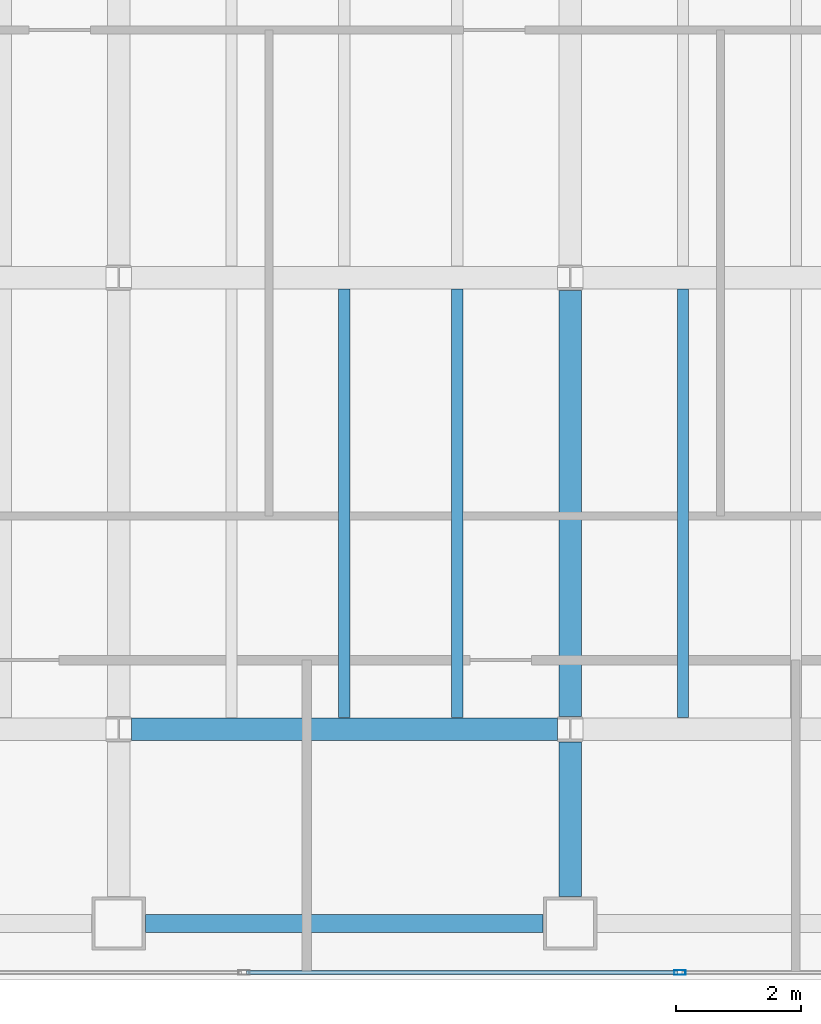
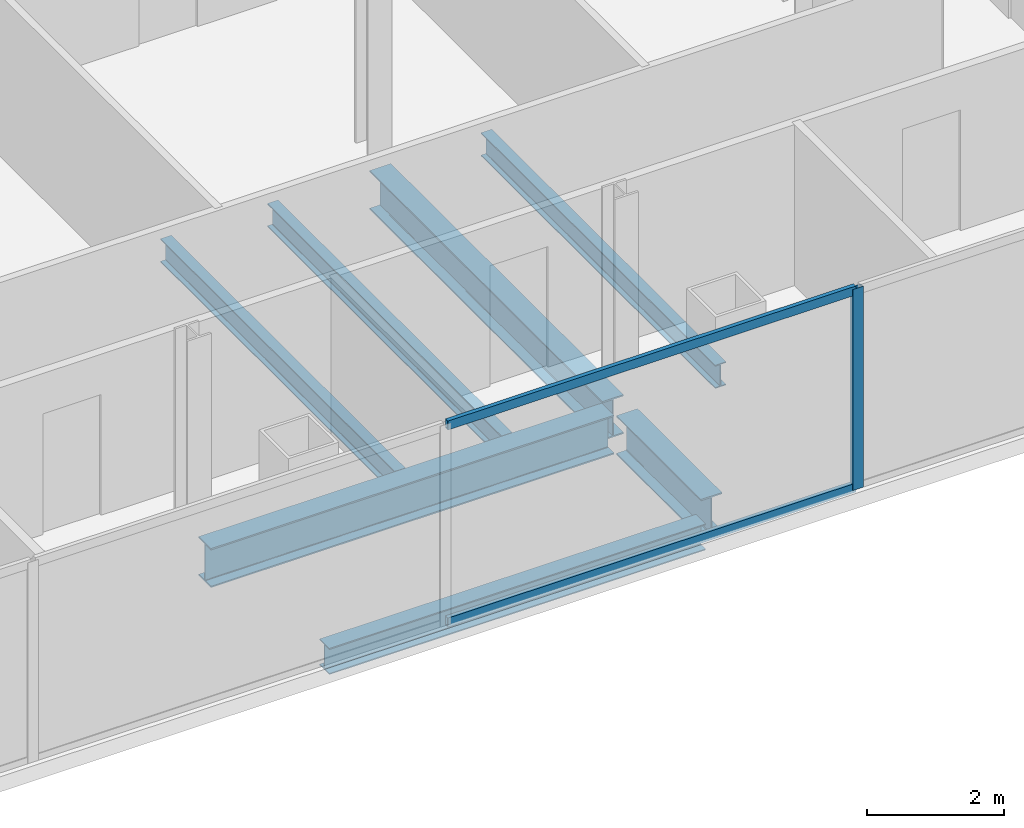
# One storey, part 5 of 23: 7 beams, 3 members, 1 element without a shape of its own.
"""IFC4 building model written with IfcOpenShell, lengths in metres."""

from ifc_helpers import new_model, si_unit, direction, frame, origin, origin_2d, place, context, subcontext, project, spatial, hollow_rectangle, i_section, extrude, material, material_profile, profile_set, type_object, element, aggregate, save


model = new_model("IFC4")

# Units and contexts
model_context = context("Model", 3, precision=1e-05, world=origin(), true_north=direction((0.0, 1.0)))
body_context = subcontext(model_context, "Body", "Model", "MODEL_VIEW")
ifc_project = project(units=[si_unit("LENGTHUNIT", "METRE"), si_unit("AREAUNIT", "SQUARE_METRE"), si_unit("VOLUMEUNIT", "CUBIC_METRE"), si_unit("PLANEANGLEUNIT", "RADIAN"), si_unit("MASSUNIT", "GRAM", prefix="KILO")], contexts=[model_context])

# Site, building, storey
site_placement = place(None, origin())
site = spatial("IfcSite", under=ifc_project, at=site_placement, CompositionType="ELEMENT")
building_placement = place(site_placement, origin())
building = spatial("IfcBuilding", under=site, at=building_placement, Name="Cobrela Telecom Tower", CompositionType="ELEMENT")
storey_placement = place(building_placement, frame((0.0, 0.0, 159.949951171875)))
storey = spatial("IfcBuildingStorey", under=building, at=storey_placement, Name="L40", CompositionType="ELEMENT", Elevation=159.949951171875)

# Beams
ifc_material_1 = material(Name="Steel ASTM A992 Grade 50", Category="steel")
ifc_material_profile_1 = material_profile(ifc_material_1, i_section(OverallWidth=0.35595703125, OverallDepth=0.696044921875, WebThickness=0.015380859375, FlangeThickness=0.024658203125, FilletRadius=0.01806640625, at=origin_2d()), Name="W27X146")
ifc_profile_set_1 = profile_set([ifc_material_profile_1], Name="Steel ASTM A992 Grade 50")
beam_type_1 = type_object("IfcBeamType", Name="BM-GIRD-05", PredefinedType="USERDEFINED", material=ifc_profile_set_1)
beam_1_placement = place(storey_placement, frame((21.804443359375, 7.199951171875, -0.617919921875), z_axis=(1.0, 0.0, 0.0), x_axis=(0.0, 1.0, 0.0)))
element("IfcBeam", 1, at=beam_1_placement, inside=storey, type_object=beam_type_1, Name="L40 Primary Girder X09", ObjectType="GIRDER", PredefinedType="USERDEFINED", context=body_context, shape_type="SweptSolid", body=[
    extrude(i_section(OverallWidth=0.35595703125, OverallDepth=0.696044921875, WebThickness=0.015380859375, FlangeThickness=0.024658203125, FilletRadius=0.01806640625, at=origin_2d()), origin(), (0.0, 0.0, 1.0), 6.791015625),
])
beam_2_placement = place(storey_placement, frame((28.800048828125, 4.530029296875, -0.617919921875), z_axis=(0.0, 1.0, 0.0), x_axis=(-1.0, 0.0, 0.0)))
element("IfcBeam", 2, at=beam_2_placement, inside=storey, type_object=beam_type_1, Name="L40 Primary Girder Y42", ObjectType="GIRDER", PredefinedType="USERDEFINED", context=body_context, shape_type="SweptSolid", body=[
    extrude(i_section(OverallWidth=0.35595703125, OverallDepth=0.696044921875, WebThickness=0.015380859375, FlangeThickness=0.024658203125, FilletRadius=0.01806640625, at=origin_2d()), origin(), (0.0, 0.0, 1.0), 2.465576171875),
])
beam_3_placement = place(storey_placement, frame((28.800048828125, 7.404541015625, -0.617919921875), z_axis=(0.0, 1.0, 0.0), x_axis=(-1.0, 0.0, 0.0)))
element("IfcBeam", 3, at=beam_3_placement, inside=storey, type_object=beam_type_1, Name="L40 Primary Girder Y43", ObjectType="GIRDER", PredefinedType="USERDEFINED", context=body_context, shape_type="SweptSolid", body=[
    extrude(i_section(OverallWidth=0.35595703125, OverallDepth=0.696044921875, WebThickness=0.015380859375, FlangeThickness=0.024658203125, FilletRadius=0.01806640625, at=origin_2d()), origin(), (0.0, 0.0, 1.0), 6.791015625),
])
ifc_material_profile_2 = material_profile(ifc_material_1, i_section(OverallWidth=0.179931640625, OverallDepth=0.4169921875, WebThickness=0.010986328125, FlangeThickness=0.01806640625, FilletRadius=0.011962890625, at=origin_2d()), Name="W16X57")
ifc_profile_set_2 = profile_set([ifc_material_profile_2], Name="Steel ASTM A992 Grade 50")
beam_type_2 = type_object("IfcBeamType", Name="BM-JOIST-04", PredefinedType="JOIST", material=ifc_profile_set_2)
for number, where, z_axis, x_axis, name in (
    (4, (25.199951171875, 7.383056640625, -0.478515625), (0.0, 1.0, 0.0), (-1.0, 0.0, 0.0), "L40 Secondary Composite Floor Beam J23"),
    (5, (27.0, 7.383056640625, -0.478515625), (0.0, 1.0, 0.0), (-1.0, 0.0, 0.0), "L40 Secondary Composite Floor Beam J25"),
    (6, (30.60009765625, 7.383056640625, -0.478515625), (0.0, 1.0, 0.0), (-1.0, 0.0, 0.0), "L40 Secondary Composite Floor Beam J27"),
):
    element("IfcBeam", number, at=place(storey_placement, frame(where, z_axis=z_axis, x_axis=x_axis)), inside=storey, type_object=beam_type_2, Name=name, PredefinedType="JOIST", context=body_context, shape_type="SweptSolid", body=[
        extrude(i_section(OverallWidth=0.179931640625, OverallDepth=0.4169921875, WebThickness=0.010986328125, FlangeThickness=0.01806640625, FilletRadius=0.011962890625, at=origin_2d()), origin(), (0.0, 0.0, 1.0), 6.833984375),
    ])
ifc_material_profile_3 = material_profile(ifc_material_1, i_section(OverallWidth=0.281982421875, OverallDepth=0.467041015625, WebThickness=0.01220703125, FlangeThickness=0.01953125, FilletRadius=0.012939453125, at=origin_2d()), Name="W18X86")
ifc_profile_set_3 = profile_set([ifc_material_profile_3], Name="Steel ASTM A992 Grade 50")
beam_type_3 = type_object("IfcBeamType", Name="BM-SPAND-04", PredefinedType="SPANDREL", material=ifc_profile_set_3)
beam_4_placement = place(storey_placement, frame((22.030029296875, 4.10009765625, -0.50341796875), z_axis=(1.0, 0.0, 0.0), x_axis=(0.0, 1.0, 0.0)))
element("IfcBeam", 7, at=beam_4_placement, inside=storey, type_object=beam_type_3, Name="L40 Perimeter Spandrel X03", PredefinedType="SPANDREL", context=body_context, shape_type="SweptSolid", body=[
    extrude(i_section(OverallWidth=0.281982421875, OverallDepth=0.467041015625, WebThickness=0.01220703125, FlangeThickness=0.01953125, FilletRadius=0.012939453125, at=origin_2d()), origin(), (0.0, 0.0, 1.0), 6.340087890625),
])

# Curtain wall, members
ifc_material_2 = material(Name="Anodized Bronze Aluminium 6063-T6", Category="aluminium")
curtain_wall_type = type_object("IfcCurtainWallType", Name="CW-SYS-TEL", PredefinedType="USERDEFINED", material=ifc_material_2)
curtain_wall_placement = place(storey_placement, origin())
curtain_wall = element("IfcCurtainWall", 8, at=curtain_wall_placement, inside=storey, type_object=curtain_wall_type, Name="L40 Unitised Bronze Curtain Wall 17", ObjectType="UNITISED CURTAIN WALL", PredefinedType="USERDEFINED")
ifc_material_profile_4 = material_profile(ifc_material_2, hollow_rectangle(XDim=0.074951171875, YDim=0.179931640625, WallThickness=0.00390625, at=origin_2d()), Name="ALU 75x180x4")
ifc_profile_set_4 = profile_set([ifc_material_profile_4], Name="Anodized Bronze Aluminium 6063-T6")
member_type_1 = type_object("IfcMemberType", Name="CW-SYS-TEL-MUL", PredefinedType="MULLION", material=ifc_profile_set_4)
member_1_placement = place(storey_placement, frame((30.550048828125, 3.320068359375, 0.0), z_axis=(0.0, 0.0, 1.0), x_axis=(0.0, -1.0, 0.0)))
member_1 = element("IfcMember", 9, at=member_1_placement, type_object=member_type_1, Name="CW-TEL mullion 3", PredefinedType="MULLION", context=body_context, shape_type="SweptSolid", body=[
    extrude(hollow_rectangle(XDim=0.074951171875, YDim=0.179931640625, WallThickness=0.00390625, at=origin_2d()), origin(), (0.0, 0.0, 1.0), 3.580078125),
])
ifc_material_profile_5 = material_profile(ifc_material_2, hollow_rectangle(XDim=0.070068359375, YDim=0.159912109375, WallThickness=0.00390625, at=origin_2d()), Name="ALU 70x160x4")
ifc_profile_set_5 = profile_set([ifc_material_profile_5], Name="Anodized Bronze Aluminium 6063-T6")
member_type_2 = type_object("IfcMemberType", Name="CW-SYS-TEL-TRN", PredefinedType="USERDEFINED", material=ifc_profile_set_5)
member_2_placement = place(storey_placement, frame((30.512451171875, 3.320068359375, 0.03515625), z_axis=(-1.0, 0.0, 0.0), x_axis=(0.0, -1.0, 0.0)))
member_2 = element("IfcMember", 10, at=member_2_placement, type_object=member_type_2, Name="CW-TEL transom 3.1", ObjectType="TRANSOM", PredefinedType="USERDEFINED", context=body_context, shape_type="SweptSolid", body=[
    extrude(hollow_rectangle(XDim=0.070068359375, YDim=0.159912109375, WallThickness=0.00390625, at=origin_2d()), origin(), (0.0, 0.0, 1.0), 6.875),
])
member_3_placement = place(storey_placement, frame((30.512451171875, 3.320068359375, 3.545166015625), z_axis=(-1.0, 0.0, 0.0), x_axis=(0.0, -1.0, 0.0)))
member_3 = element("IfcMember", 11, at=member_3_placement, type_object=member_type_2, Name="CW-TEL transom 3.2", ObjectType="TRANSOM", PredefinedType="USERDEFINED", context=body_context, shape_type="SweptSolid", body=[
    extrude(hollow_rectangle(XDim=0.070068359375, YDim=0.159912109375, WallThickness=0.00390625, at=origin_2d()), origin(), (0.0, 0.0, 1.0), 6.875),
])
aggregate(curtain_wall, [member_1, member_2, member_3])

save(model, "model.ifc")
